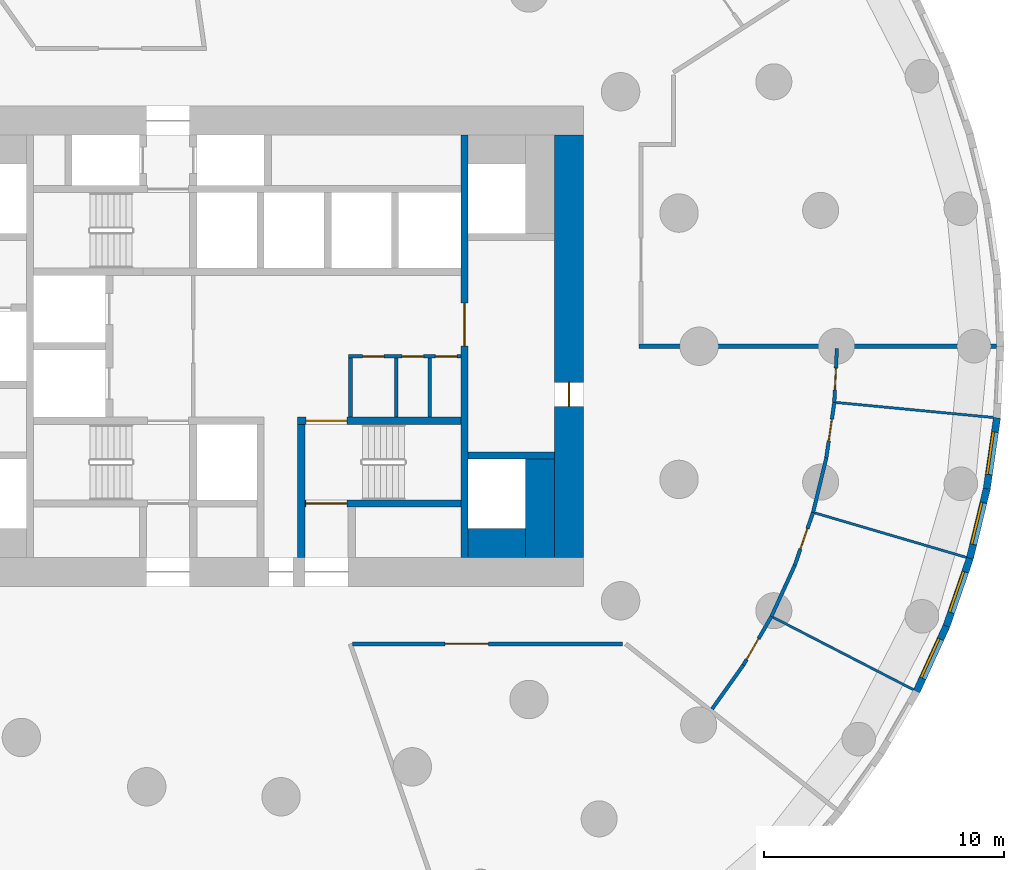
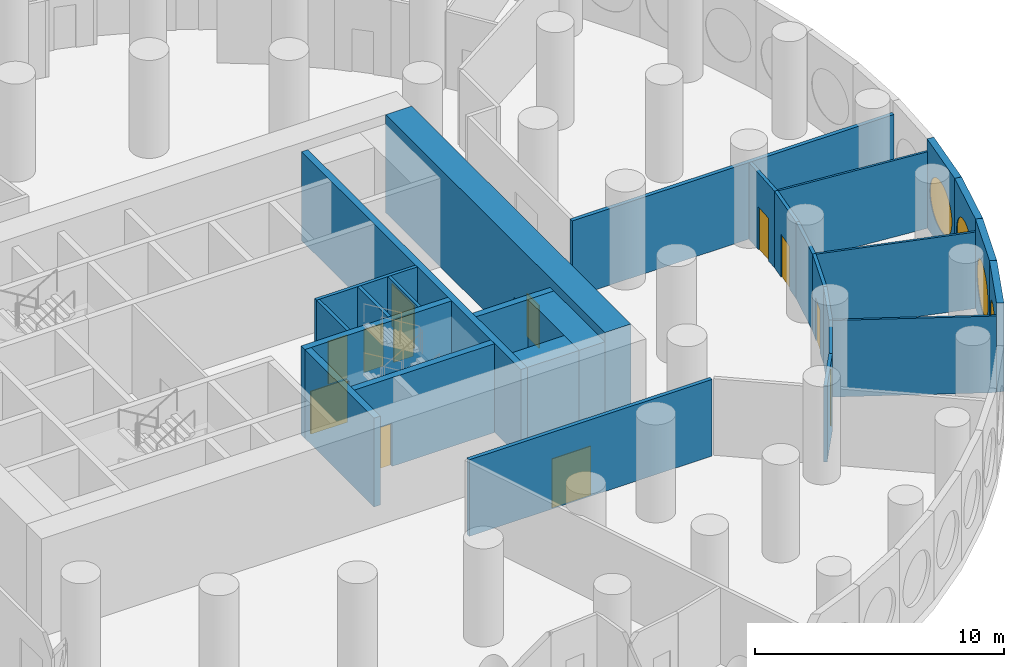
# One storey, part 5 of 11: 28 walls, 12 doors, 4 windows, 16 openings.
"""IFC4 building model written with IfcOpenShell, lengths in metres."""

from ifc_helpers import new_model, si_unit, direction, frame, frame_2d, origin, origin_2d, place, context, subcontext, project, spatial, rectangle, circle, extrude, material, layer, layer_set, type_object, element, fill, save


model = new_model("IFC4")

# Units and contexts
model_context = context("Model", 3, precision=1e-05, world=origin(), true_north=direction((0.0, 1.0)))
body_context = subcontext(model_context, "Body", "Model", "MODEL_VIEW")
ifc_project = project(units=[si_unit("LENGTHUNIT", "METRE"), si_unit("AREAUNIT", "SQUARE_METRE"), si_unit("VOLUMEUNIT", "CUBIC_METRE"), si_unit("PLANEANGLEUNIT", "RADIAN"), si_unit("MASSUNIT", "GRAM", prefix="KILO")], contexts=[model_context])

# Site, building, storey
site_placement = place(None, origin())
site = spatial("IfcSite", under=ifc_project, at=site_placement, CompositionType="ELEMENT")
building_placement = place(site_placement, origin())
building = spatial("IfcBuilding", under=site, at=building_placement, Name="Tracery Tower", CompositionType="ELEMENT")
storey_placement = place(building_placement, frame((0.0, 0.0, 9.0)))
storey = spatial("IfcBuildingStorey", under=building, at=storey_placement, Name="L01", CompositionType="ELEMENT", Elevation=9.0)

# Wall, opening, door
ifc_material_1 = material(Name="Plasterboard on steel studs", Category="steel")
ifc_layer_1 = layer(ifc_material_1, 0.175048828125)
ifc_layer_set_1 = layer_set([ifc_layer_1], Name="Compartment partition 175")
wall_type_1 = type_object("IfcWallType", Name="Compartment partition 175", PredefinedType="PARTITIONING", material=ifc_layer_set_1)
wall_1_placement = place(storey_placement, frame((15.62646484375, -12.39990234375, 0.0), z_axis=(0.0, 0.0, 1.0), x_axis=(-1.0, 0.0, 0.0)))
wall_1 = element("IfcWall", 1, at=wall_1_placement, inside=storey, type_object=wall_type_1, Name="Compartment partition 175", PredefinedType="PARTITIONING", context=body_context, shape_type="SweptSolid", body=[
    extrude(rectangle(XDim=11.2421875, YDim=0.175048828125, at=frame_2d((5.62109375, 0.0))), origin(), (0.0, 0.0, 1.0), 3.75),
])
opening_1_placement = place(wall_1_placement, frame((5.58056640625, 0.0, 0.0)))
opening_1 = element("IfcOpeningElement", 2, at=opening_1_placement, cuts=wall_1, Name="Opening SB-L01-24", PredefinedType="OPENING", context=body_context, shape_type="SweptSolid", body=[
    extrude(rectangle(XDim=1.800048828125, YDim=2.39990234375, at=frame_2d((0.89990234375, 1.199951171875))), frame((0.0, 0.08740234375, 0.0), z_axis=(0.0, -1.0, 0.0), x_axis=(1.0, 0.0, 0.0)), (0.0, 0.0, 1.0), 0.175048828125),
])
ifc_material_2 = material(Name="Glazed aluminium door", Category="aluminium")
door_type_1 = type_object("IfcDoorType", Name="Hall double door 1800", OperationType="DOUBLE_DOOR_SINGLE_SWING", PredefinedType="DOOR", material=ifc_material_2)
door_1_placement = place(opening_1_placement, origin())
door_1 = element("IfcDoor", 3, at=door_1_placement, inside=storey, type_object=door_type_1, Name="Hall double door 1800", OperationType="DOUBLE_DOOR_SINGLE_SWING", OverallHeight=2.39990234375, OverallWidth=1.800048828125, PredefinedType="DOOR", context=body_context, shape_type="SweptSolid", body=[
    extrude(rectangle(XDim=1.800048828125, YDim=2.39990234375, at=frame_2d((0.89990234375, 1.199951171875))), frame((0.0, 0.02490234375, 0.0), z_axis=(0.0, -1.0, 0.0), x_axis=(1.0, 0.0, 0.0)), (0.0, 0.0, 1.0), 0.050048828125),
])
fill(opening_1, door_1)

# Walls
wall_2_placement = place(storey_placement, frame((31.224365234375, 0.0, 0.0), z_axis=(0.0, 0.0, 1.0), x_axis=(-1.0, 0.0, 0.0)))
element("IfcWall", 4, at=wall_2_placement, inside=storey, type_object=wall_type_1, Name="Compartment partition 175", PredefinedType="PARTITIONING", context=body_context, shape_type="SweptSolid", body=[
    extrude(rectangle(XDim=14.911865234375, YDim=0.175048828125, at=frame_2d((7.4560546875, 0.0))), origin(), (0.0, 0.0, 1.0), 3.75),
])
ifc_material_3 = material(Name="Plasterboard on steel studs", Category="steel")
ifc_layer_2 = layer(ifc_material_3, 0.14990234375)
ifc_layer_set_2 = layer_set([ifc_layer_2], Name="Core room partition 150")
wall_type_2 = type_object("IfcWallType", Name="Core room partition 150", PredefinedType="SOLIDWALL", material=ifc_layer_set_2)
wall_3_placement = place(storey_placement, frame((4.300048828125, -2.949951171875, 0.0), z_axis=(0.0, 0.0, 1.0), x_axis=(0.0, 1.0, 0.0)))
element("IfcWall", 5, at=wall_3_placement, inside=storey, type_object=wall_type_2, Name="L01 slot W", PredefinedType="SOLIDWALL", context=body_context, shape_type="SweptSolid", body=[
    extrude(rectangle(XDim=2.449951171875, YDim=0.14990234375, at=frame_2d((1.22509765625, 0.0))), origin(), (0.0, 0.0, 1.0), 4.35009765625),
])

# Wall, openings, doors
wall_4_placement = place(storey_placement, frame((4.22509765625, -0.425048828125, 0.0), z_axis=(0.0, 0.0, 1.0), x_axis=(1.0, 0.0, 0.0)))
wall_4 = element("IfcWall", 6, at=wall_4_placement, inside=storey, type_object=wall_type_2, Name="L01 slot N", PredefinedType="SOLIDWALL", context=body_context, shape_type="SweptSolid", body=[
    extrude(rectangle(XDim=4.6748046875, YDim=0.14990234375, at=frame_2d((2.33740234375, 0.0))), origin(), (0.0, 0.0, 1.0), 4.35009765625),
])
opening_2_placement = place(wall_4_placement, frame((0.574951171875, 0.0, 0.0)))
opening_2 = element("IfcOpeningElement", 7, at=opening_2_placement, cuts=wall_4, Name="Opening KD22", PredefinedType="OPENING", context=body_context, shape_type="SweptSolid", body=[
    extrude(rectangle(XDim=0.89990234375, YDim=2.10009765625, at=frame_2d((0.449951171875, 1.050048828125))), frame((0.0, 0.074951171875, 0.0), z_axis=(0.0, -1.0, 0.0), x_axis=(1.0, 0.0, 0.0)), (0.0, 0.0, 1.0), 0.14990234375),
])
opening_3_placement = place(wall_4_placement, frame((2.22509765625, 0.0, 0.0)))
opening_3 = element("IfcOpeningElement", 8, at=opening_3_placement, cuts=wall_4, Name="Opening KD26", PredefinedType="OPENING", context=body_context, shape_type="SweptSolid", body=[
    extrude(rectangle(XDim=0.89990234375, YDim=2.10009765625, at=frame_2d((0.449951171875, 1.050048828125))), frame((0.0, 0.074951171875, 0.0), z_axis=(0.0, -1.0, 0.0), x_axis=(1.0, 0.0, 0.0)), (0.0, 0.0, 1.0), 0.14990234375),
])
opening_4_placement = place(wall_4_placement, frame((3.612548828125, 0.0, 0.0)))
opening_4 = element("IfcOpeningElement", 9, at=opening_4_placement, cuts=wall_4, Name="Opening KD27", PredefinedType="OPENING", context=body_context, shape_type="SweptSolid", body=[
    extrude(rectangle(XDim=0.89990234375, YDim=2.10009765625, at=frame_2d((0.449951171875, 1.050048828125))), frame((0.0, 0.074951171875, 0.0), z_axis=(0.0, -1.0, 0.0), x_axis=(1.0, 0.0, 0.0)), (0.0, 0.0, 1.0), 0.14990234375),
])
ifc_material_4 = material(Name="Timber door leaf", Category="wood")
door_type_2 = type_object("IfcDoorType", Name="Core WC door 900", OperationType="NOTDEFINED", PredefinedType="DOOR", material=ifc_material_4)
door_2_placement = place(opening_2_placement, origin())
door_2 = element("IfcDoor", 10, at=door_2_placement, inside=storey, type_object=door_type_2, Name="Core door", OperationType="SINGLE_SWING_RIGHT", OverallHeight=2.10009765625, OverallWidth=0.89990234375, PredefinedType="DOOR", context=body_context, shape_type="SweptSolid", body=[
    extrude(rectangle(XDim=0.89990234375, YDim=2.10009765625, at=frame_2d((0.449951171875, 1.050048828125))), frame((0.0, 0.02490234375, 0.0), z_axis=(0.0, -1.0, 0.0), x_axis=(1.0, 0.0, 0.0)), (0.0, 0.0, 1.0), 0.050048828125),
])
fill(opening_2, door_2)
ifc_material_5 = material(Name="Timber door leaf", Category="wood")
door_type_3 = type_object("IfcDoorType", Name="Core store door 900", OperationType="NOTDEFINED", PredefinedType="DOOR", material=ifc_material_5)
door_3_placement = place(opening_3_placement, origin())
door_3 = element("IfcDoor", 11, at=door_3_placement, inside=storey, type_object=door_type_3, Name="Core door", OperationType="SINGLE_SWING_LEFT", OverallHeight=2.10009765625, OverallWidth=0.89990234375, PredefinedType="DOOR", context=body_context, shape_type="SweptSolid", body=[
    extrude(rectangle(XDim=0.89990234375, YDim=2.10009765625, at=frame_2d((0.449951171875, 1.050048828125))), frame((0.0, 0.02490234375, 0.0), z_axis=(0.0, -1.0, 0.0), x_axis=(1.0, 0.0, 0.0)), (0.0, 0.0, 1.0), 0.050048828125),
])
fill(opening_3, door_3)
door_4_placement = place(opening_4_placement, origin())
door_4 = element("IfcDoor", 12, at=door_4_placement, inside=storey, type_object=door_type_3, Name="Core door", OperationType="SINGLE_SWING_RIGHT", OverallHeight=2.10009765625, OverallWidth=0.89990234375, PredefinedType="DOOR", context=body_context, shape_type="SweptSolid", body=[
    extrude(rectangle(XDim=0.89990234375, YDim=2.10009765625, at=frame_2d((0.449951171875, 1.050048828125))), frame((0.0, 0.02490234375, 0.0), z_axis=(0.0, -1.0, 0.0), x_axis=(1.0, 0.0, 0.0)), (0.0, 0.0, 1.0), 0.050048828125),
])
fill(opening_4, door_4)

# Walls
for number, where, z_axis, x_axis, name in (
    (13, (6.199951171875, -2.949951171875, 0.0), (0.0, 0.0, 1.0), (0.0, 1.0, 0.0), "L01 slot sep 1"),
    (14, (7.60009765625, -2.949951171875, 0.0), (0.0, 0.0, 1.0), (0.0, 1.0, 0.0), "L01 slot sep 2"),
):
    element("IfcWall", number, at=place(storey_placement, frame(where, z_axis=z_axis, x_axis=x_axis)), inside=storey, type_object=wall_type_2, Name=name, PredefinedType="SOLIDWALL", context=body_context, shape_type="SweptSolid", body=[
        extrude(rectangle(XDim=2.449951171875, YDim=0.14990234375, at=frame_2d((1.22509765625, 0.0))), origin(), (0.0, 0.0, 1.0), 4.35009765625),
    ])
ifc_material_6 = material(Name="Concrete C60/75", Category="concrete")
ifc_layer_3 = layer(ifc_material_6, 1.199951171875)
ifc_layer_set_3 = layer_set([ifc_layer_3], Name="Core strip wall 1200 C60")
wall_type_3 = type_object("IfcWallType", Name="Core strip wall 1200 C60", PredefinedType="SOLIDWALL", material=ifc_layer_set_3)
wall_5_placement = place(storey_placement, frame((12.199951171875, -8.800048828125, 0.0), z_axis=(0.0, 0.0, 1.0), x_axis=(0.0, 1.0, 0.0)))
element("IfcWall", 15, at=wall_5_placement, inside=storey, type_object=wall_type_3, Name="L01 wing strip +1 -9.4", PredefinedType="SOLIDWALL", context=body_context, shape_type="SweptSolid", body=[
    extrude(rectangle(XDim=4.10009765625, YDim=1.199951171875, at=frame_2d((2.050048828125, 0.0))), origin(), (0.0, 0.0, 1.0), 4.35009765625),
])
wall_6_placement = place(storey_placement, frame((9.199951171875, -8.199951171875, 0.0), z_axis=(0.0, 0.0, 1.0), x_axis=(1.0, 0.0, 0.0)))
element("IfcWall", 16, at=wall_6_placement, inside=storey, type_object=wall_type_3, Name="L01 wing corner +1 -8.2", PredefinedType="SOLIDWALL", context=body_context, shape_type="SweptSolid", body=[
    extrude(rectangle(XDim=2.400146484375, YDim=1.199951171875, at=frame_2d((1.2001953125, 0.0))), origin(), (0.0, 0.0, 1.0), 4.35009765625),
])

# Wall, opening, door
ifc_material_7 = material(Name="Concrete C60/75", Category="concrete")
ifc_layer_4 = layer(ifc_material_7, 1.199951171875)
ifc_layer_set_4 = layer_set([ifc_layer_4], Name="Core wall 1200 C60")
wall_type_4 = type_object("IfcWallType", Name="Core wall 1200 C60", PredefinedType="SOLIDWALL", material=ifc_layer_set_4)
wall_7_placement = place(storey_placement, frame((13.39990234375, -8.800048828125, 0.0), z_axis=(0.0, 0.0, 1.0), x_axis=(0.0, 1.0, 0.0)))
wall_7 = element("IfcWall", 17, at=wall_7_placement, inside=storey, type_object=wall_type_4, Name="L01 outer E", PredefinedType="SOLIDWALL", context=body_context, shape_type="SweptSolid", body=[
    extrude(rectangle(XDim=17.60009765625, YDim=1.199951171875, at=frame_2d((8.800048828125, 0.0))), origin(), (0.0, 0.0, 1.0), 4.800048828125),
])
opening_5_placement = place(wall_7_placement, frame((6.300048828125, 0.0, 0.0)))
opening_5 = element("IfcOpeningElement", 18, at=opening_5_placement, cuts=wall_7, Name="Opening KD18", PredefinedType="OPENING", context=body_context, shape_type="SweptSolid", body=[
    extrude(rectangle(XDim=1.0, YDim=2.10009765625, at=frame_2d((0.5, 1.050048828125))), frame((0.0, 0.60009765625, 0.0), z_axis=(0.0, -1.0, 0.0), x_axis=(1.0, 0.0, 0.0)), (0.0, 0.0, 1.0), 1.199951171875),
])
ifc_material_8 = material(Name="Steel fire door", Category="steel")
door_type_4 = type_object("IfcDoorType", Name="Core exit door 1000", OperationType="NOTDEFINED", PredefinedType="DOOR", material=ifc_material_8)
door_5_placement = place(opening_5_placement, origin())
door_5 = element("IfcDoor", 19, at=door_5_placement, inside=storey, type_object=door_type_4, Name="Core exit door", OperationType="DOUBLE_DOOR_SINGLE_SWING", OverallHeight=2.10009765625, OverallWidth=1.0, PredefinedType="DOOR", context=body_context, shape_type="SweptSolid", body=[
    extrude(rectangle(XDim=1.0, YDim=2.10009765625, at=frame_2d((0.5, 1.050048828125))), frame((0.0, 0.02490234375, 0.0), z_axis=(0.0, -1.0, 0.0), x_axis=(1.0, 0.0, 0.0)), (0.0, 0.0, 1.0), 0.050048828125),
])
fill(opening_5, door_5)

# Wall
ifc_material_9 = material(Name="Plasterboard on steel studs", Category="steel")
ifc_layer_5 = layer(ifc_material_9, 0.14990234375)
ifc_layer_set_5 = layer_set([ifc_layer_5], Name="Corridor partition 150")
wall_type_5 = type_object("IfcWallType", Name="Corridor partition 150", PredefinedType="PARTITIONING", material=ifc_layer_set_5)
wall_8_placement = place(storey_placement, frame((19.362548828125, -15.11328125, 0.0), z_axis=(0.0, 0.0, 1.0), x_axis=(0.580046101142, 0.81458364859, 0.0)))
element("IfcWall", 20, at=wall_8_placement, inside=storey, type_object=wall_type_5, Name="Corridor partition 150", PredefinedType="PARTITIONING", context=body_context, shape_type="SweptSolid", body=[
    extrude(rectangle(XDim=2.24853515625, YDim=0.14990234375, at=frame_2d((1.124267578125, 0.0))), origin(), (0.0, 0.0, 1.0), 3.75),
])

# Wall, opening, door
wall_9_placement = place(storey_placement, frame((21.835693359375, -11.257080078125, 0.0), z_axis=(0.0, 0.0, 1.0), x_axis=(-0.500002679963, -0.866023856502, 0.0)))
wall_9 = element("IfcWall", 21, at=wall_9_placement, inside=storey, type_object=wall_type_5, Name="Corridor partition 150", PredefinedType="PARTITIONING", context=body_context, shape_type="SweptSolid", body=[
    extrude(rectangle(XDim=2.337890625, YDim=0.14990234375, at=frame_2d((1.1689453125, 0.0))), origin(), (0.0, 0.0, 1.0), 3.75),
])
opening_6_placement = place(wall_9_placement, frame((1.069091796875, 0.0, 0.0)))
opening_6 = element("IfcOpeningElement", 22, at=opening_6_placement, cuts=wall_9, Name="Opening SB-L01-25", PredefinedType="OPENING", context=body_context, shape_type="SweptSolid", body=[
    extrude(rectangle(XDim=1.0, YDim=2.10009765625, at=frame_2d((0.5, 1.050048828125))), frame((0.0, 0.074951171875, 0.0), z_axis=(0.0, -1.0, 0.0), x_axis=(1.0, 0.0, 0.0)), (0.0, 0.0, 1.0), 0.14990234375),
])
ifc_material_10 = material(Name="Timber door leaf", Category="wood")
door_type_5 = type_object("IfcDoorType", Name="Public room door 1000", OperationType="NOTDEFINED", PredefinedType="DOOR", material=ifc_material_10)
door_6_placement = place(opening_6_placement, origin())
door_6 = element("IfcDoor", 23, at=door_6_placement, inside=storey, type_object=door_type_5, Name="Public room door 1000", OperationType="SINGLE_SWING_RIGHT", OverallHeight=2.10009765625, OverallWidth=1.0, PredefinedType="DOOR", context=body_context, shape_type="SweptSolid", body=[
    extrude(rectangle(XDim=1.0, YDim=2.10009765625, at=frame_2d((0.5, 1.050048828125))), frame((0.0, 0.02490234375, 0.0), z_axis=(0.0, -1.0, 0.0), x_axis=(1.0, 0.0, 0.0)), (0.0, 0.0, 1.0), 0.050048828125),
])
fill(opening_6, door_6)

# Wall
wall_10_placement = place(storey_placement, frame((21.835693359375, -11.257080078125, 0.0), z_axis=(0.0, 0.0, 1.0), x_axis=(0.415438886862, 0.909621092149, 0.0)))
element("IfcWall", 24, at=wall_10_placement, inside=storey, type_object=wall_type_5, Name="Corridor partition 150", PredefinedType="PARTITIONING", context=body_context, shape_type="SweptSolid", body=[
    extrude(rectangle(XDim=2.337646484375, YDim=0.14990234375, at=frame_2d((1.1689453125, 0.0))), origin(), (0.0, 0.0, 1.0), 3.75),
])

# Wall, opening, door
wall_11_placement = place(storey_placement, frame((23.571533203125, -6.921142578125, 0.0), z_axis=(0.0, 0.0, 1.0), x_axis=(-0.327046007052, -0.945008417566, 0.0)))
wall_11 = element("IfcWall", 25, at=wall_11_placement, inside=storey, type_object=wall_type_5, Name="Corridor partition 150", PredefinedType="PARTITIONING", context=body_context, shape_type="SweptSolid", body=[
    extrude(rectangle(XDim=2.338134765625, YDim=0.14990234375, at=frame_2d((1.1689453125, 0.0))), origin(), (0.0, 0.0, 1.0), 3.75),
])
opening_7_placement = place(wall_11_placement, frame((0.718994140625, 0.0, 0.0)))
opening_7 = element("IfcOpeningElement", 26, at=opening_7_placement, cuts=wall_11, Name="Opening SB-L01-26", PredefinedType="OPENING", context=body_context, shape_type="SweptSolid", body=[
    extrude(rectangle(XDim=0.89990234375, YDim=2.10009765625, at=frame_2d((0.449951171875, 1.050048828125))), frame((0.0, 0.074951171875, 0.0), z_axis=(0.0, -1.0, 0.0), x_axis=(1.0, 0.0, 0.0)), (0.0, 0.0, 1.0), 0.14990234375),
])
ifc_material_11 = material(Name="Timber door leaf", Category="wood")
door_type_6 = type_object("IfcDoorType", Name="Room door 900", OperationType="NOTDEFINED", PredefinedType="DOOR", material=ifc_material_11)
door_7_placement = place(opening_7_placement, origin())
door_7 = element("IfcDoor", 27, at=door_7_placement, inside=storey, type_object=door_type_6, Name="Room door 900", OperationType="SINGLE_SWING_RIGHT", OverallHeight=2.10009765625, OverallWidth=0.89990234375, PredefinedType="DOOR", context=body_context, shape_type="SweptSolid", body=[
    extrude(rectangle(XDim=0.89990234375, YDim=2.10009765625, at=frame_2d((0.449951171875, 1.050048828125))), frame((0.0, 0.02490234375, 0.0), z_axis=(0.0, -1.0, 0.0), x_axis=(1.0, 0.0, 0.0)), (0.0, 0.0, 1.0), 0.050048828125),
])
fill(opening_7, door_7)

# Wall
wall_12_placement = place(storey_placement, frame((23.571533203125, -6.921142578125, 0.0), z_axis=(0.0, 0.0, 1.0), x_axis=(0.235821214509, 0.971796457489, 0.0)))
element("IfcWall", 28, at=wall_12_placement, inside=storey, type_object=wall_type_5, Name="Corridor partition 150", PredefinedType="PARTITIONING", context=body_context, shape_type="SweptSolid", body=[
    extrude(rectangle(XDim=2.337646484375, YDim=0.14990234375, at=frame_2d((1.1689453125, 0.0))), origin(), (0.0, 0.0, 1.0), 3.75),
])

# Wall, opening, door
wall_13_placement = place(storey_placement, frame((24.45556640625, -2.335205078125, 0.0), z_axis=(0.0, 0.0, 1.0), x_axis=(-0.142327683086, -0.989819594991, 0.0)))
wall_13 = element("IfcWall", 29, at=wall_13_placement, inside=storey, type_object=wall_type_5, Name="Corridor partition 150", PredefinedType="PARTITIONING", context=body_context, shape_type="SweptSolid", body=[
    extrude(rectangle(XDim=2.337890625, YDim=0.14990234375, at=frame_2d((1.1689453125, 0.0))), origin(), (0.0, 0.0, 1.0), 3.75),
])
opening_8_placement = place(wall_13_placement, frame((0.718994140625, 0.0, 0.0)))
opening_8 = element("IfcOpeningElement", 30, at=opening_8_placement, cuts=wall_13, Name="Opening SB-L01-27", PredefinedType="OPENING", context=body_context, shape_type="SweptSolid", body=[
    extrude(rectangle(XDim=0.89990234375, YDim=2.10009765625, at=frame_2d((0.449951171875, 1.050048828125))), frame((0.0, 0.074951171875, 0.0), z_axis=(0.0, -1.0, 0.0), x_axis=(1.0, 0.0, 0.0)), (0.0, 0.0, 1.0), 0.14990234375),
])
door_8_placement = place(opening_8_placement, origin())
door_8 = element("IfcDoor", 31, at=door_8_placement, inside=storey, type_object=door_type_6, Name="Room door 900", OperationType="SINGLE_SWING_RIGHT", OverallHeight=2.10009765625, OverallWidth=0.89990234375, PredefinedType="DOOR", context=body_context, shape_type="SweptSolid", body=[
    extrude(rectangle(XDim=0.89990234375, YDim=2.10009765625, at=frame_2d((0.449951171875, 1.050048828125))), frame((0.0, 0.02490234375, 0.0), z_axis=(0.0, -1.0, 0.0), x_axis=(1.0, 0.0, 0.0)), (0.0, 0.0, 1.0), 0.050048828125),
])
fill(opening_8, door_8)

wall_14_placement = place(storey_placement, frame((24.5625, -0.08935546875, 0.0), z_axis=(0.0, 0.0, 1.0), x_axis=(-0.047559990425, -0.998868383377, 0.0)))
wall_14 = element("IfcWall", 32, at=wall_14_placement, inside=storey, type_object=wall_type_5, Name="Corridor partition 150", PredefinedType="PARTITIONING", context=body_context, shape_type="SweptSolid", body=[
    extrude(rectangle(XDim=2.248291015625, YDim=0.14990234375, at=frame_2d((1.1240234375, 0.0))), origin(), (0.0, 0.0, 1.0), 3.75),
])
opening_9_placement = place(wall_14_placement, frame((0.82958984375, 0.0, 0.0)))
opening_9 = element("IfcOpeningElement", 33, at=opening_9_placement, cuts=wall_14, Name="Opening SB-L01-28", PredefinedType="OPENING", context=body_context, shape_type="SweptSolid", body=[
    extrude(rectangle(XDim=0.89990234375, YDim=2.10009765625, at=frame_2d((0.449951171875, 1.050048828125))), frame((0.0, 0.074951171875, 0.0), z_axis=(0.0, -1.0, 0.0), x_axis=(1.0, 0.0, 0.0)), (0.0, 0.0, 1.0), 0.14990234375),
])
door_9_placement = place(opening_9_placement, origin())
door_9 = element("IfcDoor", 34, at=door_9_placement, inside=storey, type_object=door_type_6, Name="Room door 900", OperationType="SINGLE_SWING_RIGHT", OverallHeight=2.10009765625, OverallWidth=0.89990234375, PredefinedType="DOOR", context=body_context, shape_type="SweptSolid", body=[
    extrude(rectangle(XDim=0.89990234375, YDim=2.10009765625, at=frame_2d((0.449951171875, 1.050048828125))), frame((0.0, 0.02490234375, 0.0), z_axis=(0.0, -1.0, 0.0), x_axis=(1.0, 0.0, 0.0)), (0.0, 0.0, 1.0), 0.050048828125),
])
fill(opening_9, door_9)

# Wall, opening, window
ifc_material_12 = material(Name="Precast concrete C50/60", Category="concrete")
ifc_layer_6 = layer(ifc_material_12, 0.300048828125)
ifc_layer_set_6 = layer_set([ifc_layer_6], Name="Facade panel 3000 x 4350")
wall_type_6 = type_object("IfcWallType", Name="Facade panel 3000 x 4350", PredefinedType="SOLIDWALL", material=ifc_layer_set_6)
wall_15_placement = place(storey_placement, frame((27.88671875, -14.376708984375, 0.0), z_axis=(0.0, 0.0, 1.0), x_axis=(0.415373250944, 0.909651066289, 0.0)))
wall_15 = element("IfcWall", 35, at=wall_15_placement, inside=storey, type_object=wall_type_6, Name="Facade panel 62 at L01", PredefinedType="SOLIDWALL", context=body_context, shape_type="SweptSolid", body=[
    extrude(rectangle(XDim=2.98583984375, YDim=0.300048828125, at=frame_2d((1.492919921875, 0.0))), origin(), (0.0, 0.0, 1.0), 4.35009765625),
])
opening_10_placement = place(wall_15_placement, frame((1.492919921875, 0.0, 2.0)))
opening_10 = element("IfcOpeningElement", 36, at=opening_10_placement, cuts=wall_15, Name="Opening WN2", PredefinedType="OPENING", context=body_context, shape_type="SweptSolid", body=[
    extrude(circle(Radius=1.199951171875, at=origin_2d()), frame((0.0, 0.159912109375, 0.0), z_axis=(0.0, -1.0, 0.0), x_axis=(1.0, 0.0, 0.0)), (0.0, 0.0, 1.0), 0.320068359375),
])
ifc_material_13 = material(Name="Aluminium frame with tinted double glazing", Category="aluminium")
window_type = type_object("IfcWindowType", Name="Round window 2400", PartitioningType="SINGLE_PANEL", PredefinedType="WINDOW", material=ifc_material_13)
window_1_placement = place(opening_10_placement, origin())
window_1 = element("IfcWindow", 37, at=window_1_placement, inside=storey, type_object=window_type, Name="Round window 62 at L01", OverallHeight=2.39990234375, OverallWidth=2.39990234375, PartitioningType="SINGLE_PANEL", PredefinedType="WINDOW", context=body_context, shape_type="SweptSolid", body=[
    extrude(circle(Radius=1.199951171875, at=origin_2d()), frame((0.0, 0.1201171875, 0.0), z_axis=(0.0, -1.0, 0.0), x_axis=(1.0, 0.0, 0.0)), (0.0, 0.0, 1.0), 0.10009765625),
])
fill(opening_10, window_1)

wall_16_placement = place(storey_placement, frame((29.126953125, -11.66064453125, 0.0), z_axis=(0.0, 0.0, 1.0), x_axis=(0.327074054052, 0.944998710669, 0.0)))
wall_16 = element("IfcWall", 38, at=wall_16_placement, inside=storey, type_object=wall_type_6, Name="Facade panel 63 at L01", PredefinedType="SOLIDWALL", context=body_context, shape_type="SweptSolid", body=[
    extrude(rectangle(XDim=2.98583984375, YDim=0.300048828125, at=frame_2d((1.492919921875, 0.0))), origin(), (0.0, 0.0, 1.0), 4.35009765625),
])
opening_11_placement = place(wall_16_placement, frame((1.492919921875, 0.0, 2.0)))
opening_11 = element("IfcOpeningElement", 39, at=opening_11_placement, cuts=wall_16, Name="Opening WN2", PredefinedType="OPENING", context=body_context, shape_type="SweptSolid", body=[
    extrude(circle(Radius=1.199951171875, at=origin_2d()), frame((0.0, 0.159912109375, 0.0), z_axis=(0.0, -1.0, 0.0), x_axis=(1.0, 0.0, 0.0)), (0.0, 0.0, 1.0), 0.320068359375),
])
window_2_placement = place(opening_11_placement, origin())
window_2 = element("IfcWindow", 40, at=window_2_placement, inside=storey, type_object=window_type, Name="Round window 63 at L01", OverallHeight=2.39990234375, OverallWidth=2.39990234375, PartitioningType="SINGLE_PANEL", PredefinedType="WINDOW", context=body_context, shape_type="SweptSolid", body=[
    extrude(circle(Radius=1.199951171875, at=origin_2d()), frame((0.0, 0.1201171875, 0.0), z_axis=(0.0, -1.0, 0.0), x_axis=(1.0, 0.0, 0.0)), (0.0, 0.0, 1.0), 0.10009765625),
])
fill(opening_11, window_2)

wall_17_placement = place(storey_placement, frame((30.103515625, -8.839111328125, 0.0), z_axis=(0.0, 0.0, 1.0), x_axis=(0.235756834479, 0.971812078026, 0.0)))
wall_17 = element("IfcWall", 41, at=wall_17_placement, inside=storey, type_object=wall_type_6, Name="Facade panel 64 at L01", PredefinedType="SOLIDWALL", context=body_context, shape_type="SweptSolid", body=[
    extrude(rectangle(XDim=2.985595703125, YDim=0.300048828125, at=frame_2d((1.49267578125, 0.0))), origin(), (0.0, 0.0, 1.0), 4.35009765625),
])
opening_12_placement = place(wall_17_placement, frame((1.492919921875, 0.0, 2.0)))
opening_12 = element("IfcOpeningElement", 42, at=opening_12_placement, cuts=wall_17, Name="Opening WN2", PredefinedType="OPENING", context=body_context, shape_type="SweptSolid", body=[
    extrude(circle(Radius=1.199951171875, at=origin_2d()), frame((0.0, 0.159912109375, 0.0), z_axis=(0.0, -1.0, 0.0), x_axis=(1.0, 0.0, 0.0)), (0.0, 0.0, 1.0), 0.320068359375),
])
window_3_placement = place(opening_12_placement, origin())
window_3 = element("IfcWindow", 43, at=window_3_placement, inside=storey, type_object=window_type, Name="Round window 64 at L01", OverallHeight=2.39990234375, OverallWidth=2.39990234375, PartitioningType="SINGLE_PANEL", PredefinedType="WINDOW", context=body_context, shape_type="SweptSolid", body=[
    extrude(circle(Radius=1.199951171875, at=origin_2d()), frame((0.0, 0.1201171875, 0.0), z_axis=(0.0, -1.0, 0.0), x_axis=(1.0, 0.0, 0.0)), (0.0, 0.0, 1.0), 0.10009765625),
])
fill(opening_12, window_3)

wall_18_placement = place(storey_placement, frame((30.807373046875, -5.937744140625, 0.0), z_axis=(0.0, 0.0, 1.0), x_axis=(0.142360001917, 0.989814947278, 0.0)))
wall_18 = element("IfcWall", 44, at=wall_18_placement, inside=storey, type_object=wall_type_6, Name="Facade panel 65 at L01", PredefinedType="SOLIDWALL", context=body_context, shape_type="SweptSolid", body=[
    extrude(rectangle(XDim=2.98583984375, YDim=0.300048828125, at=frame_2d((1.492919921875, 0.0))), origin(), (0.0, 0.0, 1.0), 4.35009765625),
])
opening_13_placement = place(wall_18_placement, frame((1.492919921875, 0.0, 2.0)))
opening_13 = element("IfcOpeningElement", 45, at=opening_13_placement, cuts=wall_18, Name="Opening WN2", PredefinedType="OPENING", context=body_context, shape_type="SweptSolid", body=[
    extrude(circle(Radius=1.199951171875, at=origin_2d()), frame((0.0, 0.159912109375, 0.0), z_axis=(0.0, -1.0, 0.0), x_axis=(1.0, 0.0, 0.0)), (0.0, 0.0, 1.0), 0.320068359375),
])
window_4_placement = place(opening_13_placement, origin())
window_4 = element("IfcWindow", 46, at=window_4_placement, inside=storey, type_object=window_type, Name="Round window 65 at L01", OverallHeight=2.39990234375, OverallWidth=2.39990234375, PartitioningType="SINGLE_PANEL", PredefinedType="WINDOW", context=body_context, shape_type="SweptSolid", body=[
    extrude(circle(Radius=1.199951171875, at=origin_2d()), frame((0.0, 0.1201171875, 0.0), z_axis=(0.0, -1.0, 0.0), x_axis=(1.0, 0.0, 0.0)), (0.0, 0.0, 1.0), 0.10009765625),
])
fill(opening_13, window_4)

# Wall
ifc_material_14 = material(Name="Concrete C60/75", Category="concrete")
ifc_layer_7 = layer(ifc_material_14, 0.300048828125)
ifc_layer_set_7 = layer_set([ifc_layer_7], Name="Shaft wall 300 C60")
wall_type_7 = type_object("IfcWallType", Name="Shaft wall 300 C60", PredefinedType="SOLIDWALL", material=ifc_layer_set_7)
wall_19_placement = place(storey_placement, frame((9.199951171875, -4.550048828125, 0.0), z_axis=(0.0, 0.0, 1.0), x_axis=(1.0, 0.0, 0.0)))
element("IfcWall", 47, at=wall_19_placement, inside=storey, type_object=wall_type_7, Name="L01 wing shaft wall +1 -4.55", PredefinedType="SOLIDWALL", context=body_context, shape_type="SweptSolid", body=[
    extrude(rectangle(XDim=3.60009765625, YDim=0.300048828125, at=frame_2d((1.800048828125, 0.0))), origin(), (0.0, 0.0, 1.0), 4.35009765625),
])

# Wall, opening, door
ifc_material_15 = material(Name="Concrete C60/75", Category="concrete")
ifc_layer_8 = layer(ifc_material_15, 0.300048828125)
ifc_layer_set_8 = layer_set([ifc_layer_8], Name="Stair wall 300 C60")
wall_type_8 = type_object("IfcWallType", Name="Stair wall 300 C60", PredefinedType="SOLIDWALL", material=ifc_layer_set_8)
wall_20_placement = place(storey_placement, frame((2.10009765625, -3.10009765625, 0.0), z_axis=(0.0, 0.0, 1.0), x_axis=(1.0, 0.0, 0.0)))
wall_20 = element("IfcWall", 48, at=wall_20_placement, inside=storey, type_object=wall_type_8, Name="L01 row S E", PredefinedType="SOLIDWALL", context=body_context, shape_type="SweptSolid", body=[
    extrude(rectangle(XDim=6.7998046875, YDim=0.300048828125, at=frame_2d((3.39990234375, 0.0))), origin(), (0.0, 0.0, 1.0), 4.35009765625),
])
opening_14_placement = place(wall_20_placement, frame((0.35009765625, 0.0, 0.0)))
opening_14 = element("IfcOpeningElement", 49, at=opening_14_placement, cuts=wall_20, Name="Opening KD3", PredefinedType="OPENING", context=body_context, shape_type="SweptSolid", body=[
    extrude(rectangle(XDim=1.699951171875, YDim=2.10009765625, at=frame_2d((0.85009765625, 1.050048828125))), frame((0.0, 0.14990234375, 0.0), z_axis=(0.0, -1.0, 0.0), x_axis=(1.0, 0.0, 0.0)), (0.0, 0.0, 1.0), 0.300048828125),
])
ifc_material_16 = material(Name="Steel fire door", Category="steel")
door_type_7 = type_object("IfcDoorType", Name="Core stair door 1700 double", OperationType="NOTDEFINED", PredefinedType="DOOR", material=ifc_material_16)
door_10_placement = place(opening_14_placement, origin())
door_10 = element("IfcDoor", 50, at=door_10_placement, inside=storey, type_object=door_type_7, Name="Stair door ST2", OperationType="DOUBLE_DOOR_SINGLE_SWING", OverallHeight=2.10009765625, OverallWidth=1.699951171875, PredefinedType="DOOR", context=body_context, shape_type="SweptSolid", body=[
    extrude(rectangle(XDim=1.699951171875, YDim=2.10009765625, at=frame_2d((0.85009765625, 1.050048828125))), frame((0.0, 0.02490234375, 0.0), z_axis=(0.0, -1.0, 0.0), x_axis=(1.0, 0.0, 0.0)), (0.0, 0.0, 1.0), 0.050048828125),
])
fill(opening_14, door_10)

# Wall
wall_21_placement = place(storey_placement, frame((2.25, -8.800048828125, 0.0), z_axis=(0.0, 0.0, 1.0), x_axis=(0.0, 1.0, 0.0)))
element("IfcWall", 51, at=wall_21_placement, inside=storey, type_object=wall_type_8, Name="L01 ST2 W", PredefinedType="SOLIDWALL", context=body_context, shape_type="SweptSolid", body=[
    extrude(rectangle(XDim=5.550048828125, YDim=0.300048828125, at=frame_2d((2.77490234375, 0.0))), origin(), (0.0, 0.0, 1.0), 4.35009765625),
])

# Wall, opening, door
wall_22_placement = place(storey_placement, frame((9.050048828125, -8.800048828125, 0.0), z_axis=(0.0, 0.0, 1.0), x_axis=(0.0, 1.0, 0.0)))
wall_22 = element("IfcWall", 52, at=wall_22_placement, inside=storey, type_object=wall_type_8, Name="L01 F wall +9", PredefinedType="SOLIDWALL", context=body_context, shape_type="SweptSolid", body=[
    extrude(rectangle(XDim=17.60009765625, YDim=0.300048828125, at=frame_2d((8.800048828125, 0.0))), origin(), (0.0, 0.0, 1.0), 4.35009765625),
])
opening_15_placement = place(wall_22_placement, frame((8.800048828125, 0.0, 0.0)))
opening_15 = element("IfcOpeningElement", 53, at=opening_15_placement, cuts=wall_22, Name="Opening KD13", PredefinedType="OPENING", context=body_context, shape_type="SweptSolid", body=[
    extrude(rectangle(XDim=1.800048828125, YDim=2.10009765625, at=frame_2d((0.89990234375, 1.050048828125))), frame((0.0, 0.14990234375, 0.0), z_axis=(0.0, -1.0, 0.0), x_axis=(1.0, 0.0, 0.0)), (0.0, 0.0, 1.0), 0.300048828125),
])
ifc_material_17 = material(Name="Steel fire door", Category="steel")
door_type_8 = type_object("IfcDoorType", Name="Core exit door 1800 double", OperationType="NOTDEFINED", PredefinedType="DOOR", material=ifc_material_17)
door_11_placement = place(opening_15_placement, origin())
door_11 = element("IfcDoor", 54, at=door_11_placement, inside=storey, type_object=door_type_8, Name="Core exit door", OperationType="DOUBLE_DOOR_SINGLE_SWING", OverallHeight=2.10009765625, OverallWidth=1.800048828125, PredefinedType="DOOR", context=body_context, shape_type="SweptSolid", body=[
    extrude(rectangle(XDim=1.800048828125, YDim=2.10009765625, at=frame_2d((0.89990234375, 1.050048828125))), frame((0.0, 0.02490234375, 0.0), z_axis=(0.0, -1.0, 0.0), x_axis=(1.0, 0.0, 0.0)), (0.0, 0.0, 1.0), 0.050048828125),
])
fill(opening_15, door_11)

wall_23_placement = place(storey_placement, frame((2.39990234375, -6.550048828125, 0.0), z_axis=(0.0, 0.0, 1.0), x_axis=(1.0, 0.0, 0.0)))
wall_23 = element("IfcWall", 55, at=wall_23_placement, inside=storey, type_object=wall_type_8, Name="L01 F S E", PredefinedType="SOLIDWALL", context=body_context, shape_type="SweptSolid", body=[
    extrude(rectangle(XDim=6.5, YDim=0.300048828125, at=frame_2d((3.25, 0.0))), origin(), (0.0, 0.0, 1.0), 4.35009765625),
])
opening_16_placement = place(wall_23_placement, frame((0.050048828125, 0.0, 0.0)))
opening_16 = element("IfcOpeningElement", 56, at=opening_16_placement, cuts=wall_23, Name="Opening KD3", PredefinedType="OPENING", context=body_context, shape_type="SweptSolid", body=[
    extrude(rectangle(XDim=1.699951171875, YDim=2.10009765625, at=frame_2d((0.85009765625, 1.050048828125))), frame((0.0, 0.14990234375, 0.0), z_axis=(0.0, -1.0, 0.0), x_axis=(1.0, 0.0, 0.0)), (0.0, 0.0, 1.0), 0.300048828125),
])
door_12_placement = place(opening_16_placement, origin())
door_12 = element("IfcDoor", 57, at=door_12_placement, inside=storey, type_object=door_type_7, Name="Stair door ST2 S", OperationType="DOUBLE_DOOR_SINGLE_SWING", OverallHeight=2.10009765625, OverallWidth=1.699951171875, PredefinedType="DOOR", context=body_context, shape_type="SweptSolid", body=[
    extrude(rectangle(XDim=1.699951171875, YDim=2.10009765625, at=frame_2d((0.85009765625, 1.050048828125))), frame((0.0, 0.02490234375, 0.0), z_axis=(0.0, -1.0, 0.0), x_axis=(1.0, 0.0, 0.0)), (0.0, 0.0, 1.0), 0.050048828125),
])
fill(opening_16, door_12)

# Walls
ifc_material_18 = material(Name="Plasterboard on steel studs", Category="steel")
ifc_layer_9 = layer(ifc_material_18, 0.10009765625)
ifc_layer_set_9 = layer_set([ifc_layer_9], Name="Stud partition 100")
wall_type_9 = type_object("IfcWallType", Name="Stud partition 100", PredefinedType="PARTITIONING", material=ifc_layer_set_9)
wall_24_placement = place(storey_placement, frame((27.753173828125, -14.307861328125, 0.0), z_axis=(0.0, 0.0, 1.0), x_axis=(-0.888824883914, 0.458247013886, 0.0)))
element("IfcWall", 58, at=wall_24_placement, inside=storey, type_object=wall_type_9, Name="Stud partition 100", PredefinedType="PARTITIONING", context=body_context, shape_type="SweptSolid", body=[
    extrude(rectangle(XDim=6.582275390625, YDim=0.10009765625, at=frame_2d((3.291015625, 0.0))), origin(), (0.0, 0.0, 1.0), 3.75),
])
for number, where, z_axis, x_axis, name in (
    (59, (29.95947265625, -8.796875, 0.0), (0.0, 0.0, 1.0), (-0.959494150373, 0.281728549139, 0.0), "Stud partition 100"),
    (60, (31.0830078125, -2.968017578125, 0.0), (0.0, 0.0, 1.0), (-0.995471604087, 0.095059378587, 0.0), "Stud partition 100"),
):
    element("IfcWall", number, at=place(storey_placement, frame(where, z_axis=z_axis, x_axis=x_axis)), inside=storey, type_object=wall_type_9, Name=name, PredefinedType="PARTITIONING", context=body_context, shape_type="SweptSolid", body=[
        extrude(rectangle(XDim=6.58251953125, YDim=0.10009765625, at=frame_2d((3.291259765625, 0.0))), origin(), (0.0, 0.0, 1.0), 3.75),
    ])

save(model, "model.ifc")
